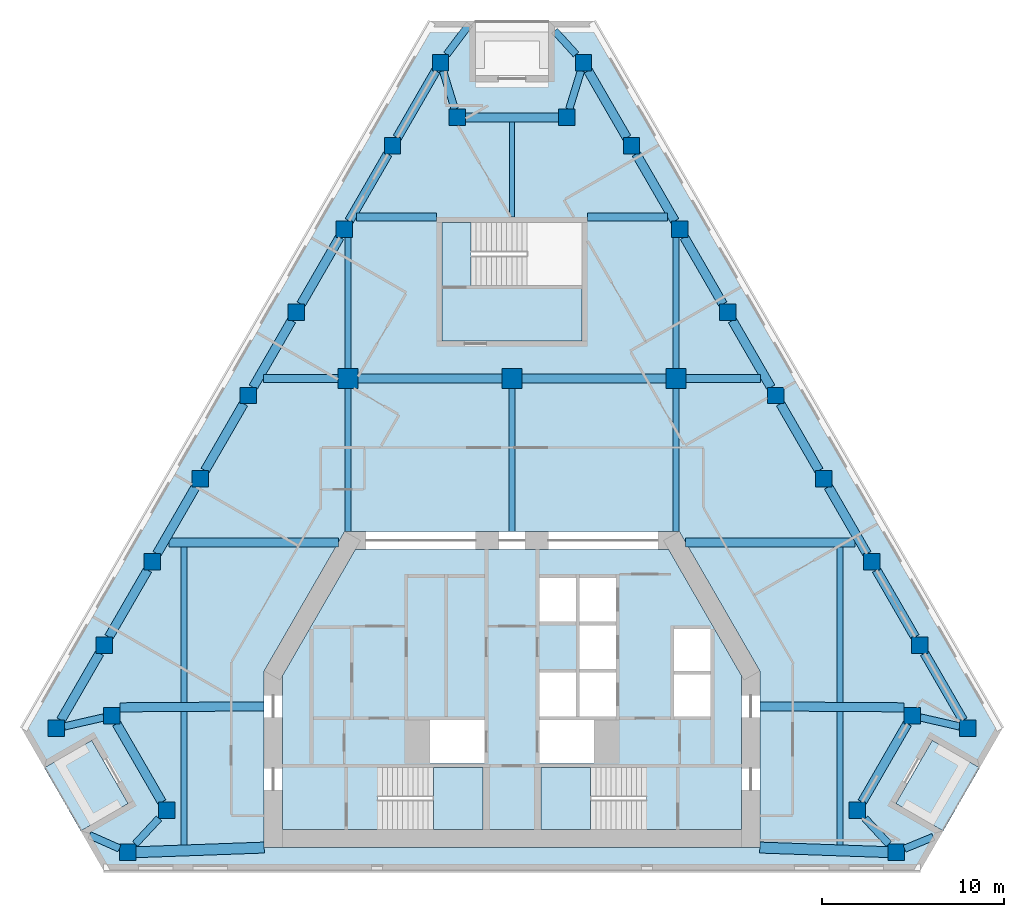
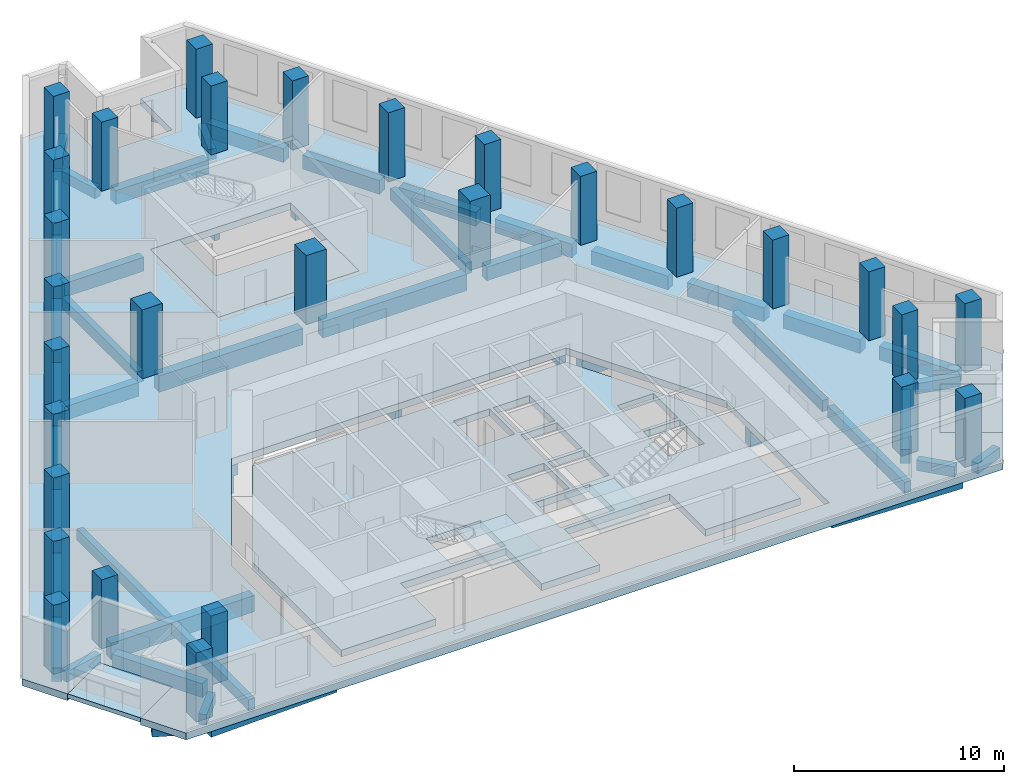
# One storey, part 1 of 8: 51 beams, 29 columns, 7 slabs, 2 elements without a shape of their own.
"""IFC4 building model written with IfcOpenShell, lengths in metres."""

import ifcopenshell
import ifcopenshell.guid

model = None  # the IFC model being written
_history = None  # IfcOwnerHistory: only IFC2X3 demands one
_inside = {}  # id of a spatial element -> (the spatial element, [elements in it])
_under = {}  # id of a project, library or spatial element -> (it, [spatial elements below it])
_declared = {}  # id of a project -> (the project, [libraries it declares])
_typed = {}  # id of a type object -> (the type object, [elements of that type])
_made_of = {}  # id of a material, layer set ... -> (it, [elements and type objects made of it])


def new_model(schema):
    """Start an empty IFC model of exactly this schema.

    Asked for "IFC4X3", IfcOpenShell would pick the latest addendum, in which some entities
    have other attributes; the version numbers below select the first issue.
    IFC2X3 requires an IfcOwnerHistory on every rooted entity: one is made here for all.
    """
    global model, _history
    if schema == "IFC4X3":
        model = ifcopenshell.file(schema_version=(4, 3, 0, 0))
    else:
        model = ifcopenshell.file(schema=schema)
    _inside.clear()
    _under.clear()
    _declared.clear()
    _typed.clear()
    _made_of.clear()
    _history = None
    if model.schema == "IFC2X3":
        org = make("IfcOrganization", Name="unknown")
        user = make(
            "IfcPersonAndOrganization",
            ThePerson=make("IfcPerson", FamilyName="unknown"),
            TheOrganization=org,
        )
        app = make(
            "IfcApplication",
            ApplicationDeveloper=org,
            Version="unknown",
            ApplicationFullName="unknown",
            ApplicationIdentifier="unknown",
        )
        _history = make(
            "IfcOwnerHistory",
            OwningUser=user,
            OwningApplication=app,
            ChangeAction="ADDED",
            CreationDate=0,
        )
    return model


def make(cls, **values):
    """One entity of the class cls with the attributes given. An attribute that is None is left unset."""
    return model.create_entity(
        cls, **{name: value for name, value in values.items() if value is not None}
    )


def rooted(cls, **values):
    """An entity with a GlobalId (a new one), such as an element, a storey or a relation."""
    return make(cls, GlobalId=ifcopenshell.guid.new(), OwnerHistory=_history, **values)


def si_unit(unit_type, name, prefix=None):
    """IfcSIUnit, for example si_unit("LENGTHUNIT", "METRE", prefix="MILLI")."""
    return make("IfcSIUnit", UnitType=unit_type, Prefix=prefix, Name=name)


def assignment(units):
    """IfcUnitAssignment: the units of a project."""
    return None if units is None else make("IfcUnitAssignment", Units=units)


def point(xyz):
    """IfcCartesianPoint."""
    return None if xyz is None else make("IfcCartesianPoint", Coordinates=xyz)


def direction(xyz):
    """IfcDirection."""
    return None if xyz is None else make("IfcDirection", DirectionRatios=xyz)


def frame(location, z_axis=None, x_axis=None):
    """IfcAxis2Placement3D, a coordinate frame: its origin and axes. An axis left out is left unset."""
    return make(
        "IfcAxis2Placement3D",
        Location=point(location),
        Axis=direction(z_axis),
        RefDirection=direction(x_axis),
    )


def frame_2d(location, x_axis=None):
    """IfcAxis2Placement2D, a coordinate frame in the plane: its origin and x axis."""
    return make(
        "IfcAxis2Placement2D", Location=point(location), RefDirection=direction(x_axis)
    )


def origin():
    """The frame at (0, 0, 0) with its axes left unset."""
    return frame((0.0, 0.0, 0.0))


def origin_2d():
    """The frame at (0, 0) in the plane with its x axis left unset."""
    return frame_2d((0.0, 0.0))


def place(relative_to, where):
    """IfcLocalPlacement: puts the frame where relative to a parent placement (None: the world)."""
    return make(
        "IfcLocalPlacement", PlacementRelTo=relative_to, RelativePlacement=where
    )


def context(
    kind, dimensions, precision=None, world=None, true_north=None, identifier=None
):
    """IfcGeometricRepresentationContext, for example the 3D "Model" context."""
    return make(
        "IfcGeometricRepresentationContext",
        ContextIdentifier=identifier,
        ContextType=kind,
        CoordinateSpaceDimension=dimensions,
        Precision=precision,
        WorldCoordinateSystem=world,
        TrueNorth=true_north,
    )


def subcontext(parent, identifier, kind, view, scale=None):
    """IfcGeometricRepresentationSubContext, for example "Body" below "Model"."""
    return make(
        "IfcGeometricRepresentationSubContext",
        ContextIdentifier=identifier,
        ContextType=kind,
        ParentContext=parent,
        TargetScale=scale,
        TargetView=view,
    )


def project(units=None, contexts=None):
    """IfcProject with its units and contexts."""
    return rooted(
        "IfcProject",
        Name="project",
        RepresentationContexts=contexts,
        UnitsInContext=assignment(units),
    )


def spatial(cls, under=None, at=None, **own):
    """A site, building, storey or space (cls), placed at a placement, below another one or the project."""
    s = rooted(cls, ObjectPlacement=at, **own)
    if under is not None:
        _under.setdefault(under.id(), (under, []))[1].append(s)
    return s


def polyline(points):
    """IfcPolyline through the points."""
    return make("IfcPolyline", Points=[point(p) for p in points])


def profile(cls, at=None, kind="AREA", **sizes):
    """A parametric profile (cls). Its sizes go by their IFC names, for example OverallWidth=200.0."""
    return make(cls, ProfileType=kind, Position=at, **sizes)


def rectangle(**sizes):
    """IfcRectangleProfileDef."""
    return profile("IfcRectangleProfileDef", **sizes)


def outline(outer, holes=None, kind="AREA"):
    """IfcArbitraryClosedProfileDef: a profile drawn as a closed curve; with holes, ...WithVoids."""
    if holes is None:
        return make("IfcArbitraryClosedProfileDef", ProfileType=kind, OuterCurve=outer)
    return make(
        "IfcArbitraryProfileDefWithVoids",
        ProfileType=kind,
        OuterCurve=outer,
        InnerCurves=holes,
    )


def extrude(swept, where, along, depth):
    """IfcExtrudedAreaSolid: the profile swept, set in the frame where, extruded along a direction by depth."""
    return make(
        "IfcExtrudedAreaSolid",
        SweptArea=swept,
        Position=where,
        ExtrudedDirection=direction(along),
        Depth=depth,
    )


def shape(context_of_items, identifier, shape_type, items):
    """IfcShapeRepresentation: the items that make up one representation, for example the "Body"."""
    return make(
        "IfcShapeRepresentation",
        ContextOfItems=context_of_items,
        RepresentationIdentifier=identifier,
        RepresentationType=shape_type,
        Items=items,
    )


def material(Name=None, Category=None):
    """IfcMaterial."""
    return make("IfcMaterial", Name=Name, Category=Category)


def layer(
    of_material, thickness, ventilated=None, Name=None, Category=None, Priority=None
):
    """IfcMaterialLayer: one layer of a wall or slab, of a material (None: an air gap)."""
    return make(
        "IfcMaterialLayer",
        Material=of_material,
        LayerThickness=thickness,
        IsVentilated=ventilated,
        Name=Name,
        Category=Category,
        Priority=Priority,
    )


def layer_set(layers, Name=None):
    """IfcMaterialLayerSet."""
    return make("IfcMaterialLayerSet", MaterialLayers=layers, LayerSetName=Name)


def material_profile(
    of_material, cross_section, Name=None, Category=None, Priority=None
):
    """IfcMaterialProfile: a cross section and its material."""
    return make(
        "IfcMaterialProfile",
        Name=Name,
        Material=of_material,
        Profile=cross_section,
        Priority=Priority,
        Category=Category,
    )


def profile_set(profiles, Name=None, composite=None):
    """IfcMaterialProfileSet."""
    return make(
        "IfcMaterialProfileSet",
        Name=Name,
        MaterialProfiles=profiles,
        CompositeProfile=composite,
    )


def made_of(thing, what):
    """Note that an element or type object is made of a material, layer set ...; save() writes the relation."""
    if what is not None:
        _made_of.setdefault(what.id(), (what, []))[1].append(thing)
    return thing


def type_object(cls, material=None, **own):
    """A type object (cls), such as IfcWallType, which elements share."""
    return made_of(rooted(cls, **own), material)


def element(
    cls,
    number,
    at=None,
    inside=None,
    cuts=None,
    type_object=None,
    material=None,
    context=None,
    identifier="Body",
    shape_type=None,
    held_by="IfcProductDefinitionShape",
    body=None,
    shapes=None,
    **own,
):
    """One element of the class cls, such as IfcWall. Its Tag is "e" and its number.

    at: its placement. inside: the storey or other place that contains it. cuts: it is an
    opening in that element (IfcRelVoidsElement). A single representation is given by context,
    identifier, shape_type and body (its items); several are given by shapes. held_by: the class
    of the entity that holds the representations. save() writes the other relations.
    """
    e = rooted(cls, Tag="e%d" % number, ObjectPlacement=at, **own)
    if body is not None:
        shapes = [shape(context, identifier, shape_type, body)]
    if shapes is not None:
        e.Representation = make(held_by, Representations=shapes)
    if inside is not None:
        _inside.setdefault(inside.id(), (inside, []))[1].append(e)
    if cuts is not None:
        rooted(
            "IfcRelVoidsElement", RelatingBuildingElement=cuts, RelatedOpeningElement=e
        )
    if type_object is not None:
        _typed.setdefault(type_object.id(), (type_object, []))[1].append(e)
    return made_of(e, material)


def aggregate(whole, parts):
    """IfcRelAggregates: a whole, such as a stair, and the parts it consists of."""
    return rooted("IfcRelAggregates", RelatingObject=whole, RelatedObjects=parts)


def save(model, path):
    """Write the relations noted so far, then the file.

    IfcRelAggregates (storeys below a building ...), IfcRelContainedInSpatialStructure (elements
    in a storey), IfcRelDefinesByType, IfcRelAssociatesMaterial and IfcRelDeclares: one each for
    every whole, place, type object, material and project.
    """
    for whole, parts in _under.values():
        aggregate(whole, parts)
    for where, things in _inside.values():
        rooted(
            "IfcRelContainedInSpatialStructure",
            RelatedElements=things,
            RelatingStructure=where,
        )
    for kind, things in _typed.values():
        rooted("IfcRelDefinesByType", RelatedObjects=things, RelatingType=kind)
    for what, things in _made_of.values():
        rooted("IfcRelAssociatesMaterial", RelatedObjects=things, RelatingMaterial=what)
    for by, libraries in _declared.values():
        rooted("IfcRelDeclares", RelatingContext=by, RelatedDefinitions=libraries)
    model.write(path)


model = new_model("IFC4")

# Units and contexts
model_context = context("Model", 3, precision=1e-05, world=origin(), true_north=direction((0.0, 1.0)))
body_context = subcontext(model_context, "Body", "Model", "MODEL_VIEW")
ifc_project = project(units=[si_unit("LENGTHUNIT", "METRE"), si_unit("AREAUNIT", "SQUARE_METRE"), si_unit("VOLUMEUNIT", "CUBIC_METRE"), si_unit("PLANEANGLEUNIT", "RADIAN"), si_unit("MASSUNIT", "GRAM", prefix="KILO")], contexts=[model_context])

# Site, building, storey
site_placement = place(None, origin())
site = spatial("IfcSite", under=ifc_project, at=site_placement, CompositionType="ELEMENT")
building_placement = place(site_placement, origin())
building = spatial("IfcBuilding", under=site, at=building_placement, Name="Fogline Exchange Tower", CompositionType="ELEMENT")
storey_placement = place(building_placement, frame((0.0, 0.0, 231.5)))
storey = spatial("IfcBuildingStorey", under=building, at=storey_placement, Name="L52", CompositionType="ELEMENT", Elevation=231.5)

# Columns
ifc_material_1 = material(Name="Concrete C60", Category="concrete")
ifc_material_profile_1 = material_profile(ifc_material_1, rectangle(XDim=1.10009765625, YDim=1.10009765625, at=origin_2d()), Name="RC 1100x1100")
ifc_profile_set_1 = profile_set([ifc_material_profile_1], Name="Concrete C60")
column_type_1 = type_object("IfcColumnType", Name="C05", PredefinedType="COLUMN", material=ifc_profile_set_1)
for number, where, z_axis, x_axis, name in (
    (1, (-9.0, 27.0, 0.0), (0.0, 0.0, 1.0), (1.0, 0.0, 0.0), "IC--9-27"),
    (2, (0.0, 27.0, 0.0), (0.0, 0.0, 1.0), (1.0, 0.0, 0.0), "IC-0-27"),
    (3, (9.0, 27.0, 0.0), (0.0, 0.0, 1.0), (1.0, 0.0, 0.0), "IC-9-27"),
):
    element("IfcColumn", number, at=place(storey_placement, frame(where, z_axis=z_axis, x_axis=x_axis)), inside=storey, type_object=column_type_1, Name=name, PredefinedType="COLUMN", context=body_context, shape_type="SweptSolid", body=[
        extrude(rectangle(XDim=1.10009765625, YDim=1.10009765625, at=origin_2d()), origin(), (0.0, 0.0, 1.0), 4.0),
    ])
ifc_material_profile_2 = material_profile(ifc_material_1, rectangle(XDim=0.89990234375, YDim=0.89990234375, at=origin_2d()), Name="RC 900x900")
ifc_profile_set_2 = profile_set([ifc_material_profile_2], Name="Concrete C60")
column_type_2 = type_object("IfcColumnType", Name="C06", PredefinedType="COLUMN", material=ifc_profile_set_2)
for number, where, z_axis, x_axis, name in (
    (4, (-25.0146484375, 7.794189453125, 0.0), (0.0, 0.0, 1.0), (1.0, 0.0, 0.0), "SW-a"),
    (5, (-21.955322265625, 8.4951171875, 0.0), (0.0, 0.0, 1.0), (1.0, 0.0, 0.0), "SW-p4"),
    (6, (-18.955322265625, 3.299072265625, 0.0), (0.0, 0.0, 1.0), (1.0, 0.0, 0.0), "SW-p3"),
    (7, (-21.092041015625, 1.0, 0.0), (0.0, 0.0, 1.0), (1.0, 0.0, 0.0), "SW-b"),
    (8, (21.092041015625, 1.0, 0.0), (0.0, 0.0, 1.0), (1.0, 0.0, 0.0), "SE-a"),
    (9, (18.955322265625, 3.299072265625, 0.0), (0.0, 0.0, 1.0), (1.0, 0.0, 0.0), "SE-p4"),
    (10, (21.955322265625, 8.4951171875, 0.0), (0.0, 0.0, 1.0), (1.0, 0.0, 0.0), "SE-p3"),
    (11, (25.0146484375, 7.794189453125, 0.0), (0.0, 0.0, 1.0), (1.0, 0.0, 0.0), "SE-b"),
    (12, (22.378173828125, 12.36083984375, 0.0), (0.0, 0.0, 1.0), (1.0, 0.0, 0.0), "E1"),
    (13, (19.74169921875, 16.92724609375, 0.0), (0.0, 0.0, 1.0), (1.0, 0.0, 0.0), "E2"),
    (14, (17.105224609375, 21.493896484375, 0.0), (0.0, 0.0, 1.0), (1.0, 0.0, 0.0), "E3"),
    (15, (14.46875, 26.060302734375, 0.0), (0.0, 0.0, 1.0), (1.0, 0.0, 0.0), "E4"),
    (16, (11.832275390625, 30.626953125, 0.0), (0.0, 0.0, 1.0), (1.0, 0.0, 0.0), "E5"),
    (17, (9.19580078125, 35.193603515625, 0.0), (0.0, 0.0, 1.0), (1.0, 0.0, 0.0), "E6"),
    (18, (6.55908203125, 39.760009765625, 0.0), (0.0, 0.0, 1.0), (1.0, 0.0, 0.0), "E7"),
    (19, (3.922607421875, 44.32666015625, 0.0), (0.0, 0.0, 1.0), (1.0, 0.0, 0.0), "N-a"),
    (20, (3.0, 41.32666015625, 0.0), (0.0, 0.0, 1.0), (1.0, 0.0, 0.0), "N-p4"),
    (21, (-3.0, 41.32666015625, 0.0), (0.0, 0.0, 1.0), (1.0, 0.0, 0.0), "N-p3"),
    (22, (-3.922607421875, 44.32666015625, 0.0), (0.0, 0.0, 1.0), (1.0, 0.0, 0.0), "N-b"),
    (23, (-6.55908203125, 39.760009765625, 0.0), (0.0, 0.0, 1.0), (1.0, 0.0, 0.0), "W1"),
    (24, (-9.19580078125, 35.193603515625, 0.0), (0.0, 0.0, 1.0), (1.0, 0.0, 0.0), "W2"),
    (25, (-11.832275390625, 30.626953125, 0.0), (0.0, 0.0, 1.0), (1.0, 0.0, 0.0), "W3"),
    (26, (-14.46875, 26.060302734375, 0.0), (0.0, 0.0, 1.0), (1.0, 0.0, 0.0), "W4"),
    (27, (-17.105224609375, 21.493896484375, 0.0), (0.0, 0.0, 1.0), (1.0, 0.0, 0.0), "W5"),
    (28, (-19.74169921875, 16.92724609375, 0.0), (0.0, 0.0, 1.0), (1.0, 0.0, 0.0), "W6"),
    (29, (-22.378173828125, 12.36083984375, 0.0), (0.0, 0.0, 1.0), (1.0, 0.0, 0.0), "W7"),
):
    element("IfcColumn", number, at=place(storey_placement, frame(where, z_axis=z_axis, x_axis=x_axis)), inside=storey, type_object=column_type_2, Name=name, PredefinedType="COLUMN", context=body_context, shape_type="SweptSolid", body=[
        extrude(rectangle(XDim=0.89990234375, YDim=0.89990234375, at=origin_2d()), origin(), (0.0, 0.0, 1.0), 4.0),
    ])

# Beams
ifc_material_2 = material(Name="Concrete C40", Category="concrete")
ifc_material_profile_3 = material_profile(ifc_material_2, rectangle(XDim=0.300048828125, YDim=0.60009765625, at=origin_2d()), Name="RC 300x600")
ifc_profile_set_3 = profile_set([ifc_material_profile_3], Name="Concrete C40")
beam_type_1 = type_object("IfcBeamType", Name="B06", PredefinedType="BEAM", material=ifc_profile_set_3)
beam_1_placement = place(storey_placement, frame((0.0, 35.85693359375, -0.699951171875), z_axis=(0.0, 1.0, 0.0), x_axis=(-1.0, 0.0, 0.0)))
element("IfcBeam", 30, at=beam_1_placement, inside=storey, type_object=beam_type_1, Name="SB006", PredefinedType="BEAM", context=body_context, shape_type="SweptSolid", body=[
    extrude(rectangle(XDim=0.300048828125, YDim=0.60009765625, at=origin_2d()), origin(), (0.0, 0.0, 1.0), 5.2197265625),
])
ifc_material_profile_4 = material_profile(ifc_material_2, rectangle(XDim=0.60009765625, YDim=0.89990234375, at=origin_2d()), Name="RC 600x900")
ifc_profile_set_4 = profile_set([ifc_material_profile_4], Name="Concrete C40")
beam_type_2 = type_object("IfcBeamType", Name="B09", PredefinedType="BEAM", material=ifc_profile_set_4)
beam_2_placement = place(storey_placement, frame((-20.64208984375, 0.99462890625, -0.85009765625), z_axis=(0.999343107492, 0.036240219472, 0.0), x_axis=(-0.036240219472, 0.999343107492, 0.0)))
element("IfcBeam", 31, at=beam_2_placement, inside=storey, type_object=beam_type_2, Name="RB004", PredefinedType="BEAM", context=body_context, shape_type="SweptSolid", body=[
    extrude(rectangle(XDim=0.60009765625, YDim=0.89990234375, at=origin_2d()), origin(), (0.0, 0.0, 1.0), 7.046630859375),
])
beam_3_placement = place(storey_placement, frame((13.60009765625, 1.25, -0.85009765625), z_axis=(0.99937042328, -0.035478966629, 0.0), x_axis=(0.035478966629, 0.99937042328, 0.0)))
element("IfcBeam", 32, at=beam_3_placement, inside=storey, type_object=beam_type_2, Name="RB005", PredefinedType="BEAM", context=body_context, shape_type="SweptSolid", body=[
    extrude(rectangle(XDim=0.60009765625, YDim=0.89990234375, at=origin_2d()), origin(), (0.0, 0.0, 1.0), 7.04638671875),
])
ifc_material_profile_5 = material_profile(ifc_material_2, rectangle(XDim=0.5, YDim=0.800048828125, at=origin_2d()), Name="RC 500x800")
ifc_profile_set_5 = profile_set([ifc_material_profile_5], Name="Concrete C40")
beam_type_3 = type_object("IfcBeamType", Name="B10", PredefinedType="BEAM", material=ifc_profile_set_5)
for number, where, z_axis, x_axis, name in (
    (33, (-21.6953125, 8.045166015625, -0.800048828125), (0.499976646485, -0.866038886523, 0.0), (0.866038886523, 0.499976646485, 0.0), "RB002"),
    (34, (19.215087890625, 3.7490234375, -0.800048828125), (0.499976646485, 0.866038886523, 0.0), (-0.866038886523, 0.499976646485, 0.0), "RB007"),
):
    element("IfcBeam", number, at=place(storey_placement, frame(where, z_axis=z_axis, x_axis=x_axis)), inside=storey, type_object=beam_type_3, Name=name, PredefinedType="BEAM", context=body_context, shape_type="SweptSolid", body=[
        extrude(rectangle(XDim=0.5, YDim=0.800048828125, at=origin_2d()), origin(), (0.0, 0.0, 1.0), 4.960693359375),
    ])
beam_4_placement = place(storey_placement, frame((24.7548828125, 8.244140625, -0.800048828125), z_axis=(-0.499990325971, 0.866030989016, 0.0), x_axis=(-0.866030989016, -0.499990325971, 0.0)))
element("IfcBeam", 35, at=beam_4_placement, inside=storey, type_object=beam_type_3, Name="RB009", PredefinedType="BEAM", context=body_context, shape_type="SweptSolid", body=[
    extrude(rectangle(XDim=0.5, YDim=0.800048828125, at=origin_2d()), origin(), (0.0, 0.0, 1.0), 4.23388671875),
])
beam_5_placement = place(storey_placement, frame((22.118408203125, 12.810791015625, -0.800048828125), z_axis=(-0.500015295222, 0.866016572904, 0.0), x_axis=(-0.866016572904, -0.500015295222, 0.0)))
element("IfcBeam", 36, at=beam_5_placement, inside=storey, type_object=beam_type_3, Name="RB010", PredefinedType="BEAM", context=body_context, shape_type="SweptSolid", body=[
    extrude(rectangle(XDim=0.5, YDim=0.800048828125, at=origin_2d()), origin(), (0.0, 0.0, 1.0), 4.233642578125),
])
beam_6_placement = place(storey_placement, frame((19.481689453125, 17.377197265625, -0.800048828125), z_axis=(-0.499947076772, 0.866055956868, 0.0), x_axis=(-0.866055956868, -0.499947076772, 0.0)))
element("IfcBeam", 37, at=beam_6_placement, inside=storey, type_object=beam_type_3, Name="RB011", PredefinedType="BEAM", context=body_context, shape_type="SweptSolid", body=[
    extrude(rectangle(XDim=0.5, YDim=0.800048828125, at=origin_2d()), origin(), (0.0, 0.0, 1.0), 4.23388671875),
])
for number, where, z_axis, x_axis, name in (
    (38, (16.84521484375, 21.94384765625, -0.800048828125), (-0.499972045304, 0.866041542834, 0.0), (-0.866041542834, -0.499972045304, 0.0), "RB012"),
    (39, (14.208740234375, 26.510498046875, -0.800048828125), (-0.499972045304, 0.866041542834, 0.0), (-0.866041542834, -0.499972045304, 0.0), "RB013"),
    (40, (11.572265625, 31.076904296875, -0.800048828125), (-0.499972045304, 0.866041542834, 0.0), (-0.866041542834, -0.499972045304, 0.0), "RB014"),
    (41, (8.935791015625, 35.6435546875, -0.800048828125), (-0.499972045304, 0.866041542834, 0.0), (-0.866041542834, -0.499972045304, 0.0), "RB015"),
    (42, (6.29931640625, 40.210205078125, -0.800048828125), (-0.499972045304, 0.866041542834, 0.0), (-0.866041542834, -0.499972045304, 0.0), "RB016"),
):
    element("IfcBeam", number, at=place(storey_placement, frame(where, z_axis=z_axis, x_axis=x_axis)), inside=storey, type_object=beam_type_3, Name=name, PredefinedType="BEAM", context=body_context, shape_type="SweptSolid", body=[
        extrude(rectangle(XDim=0.5, YDim=0.800048828125, at=origin_2d()), origin(), (0.0, 0.0, 1.0), 4.233642578125),
    ])
beam_7_placement = place(storey_placement, frame((2.550048828125, 41.32666015625, -0.800048828125), z_axis=(-1.0, 0.0, 0.0), x_axis=(0.0, -1.0, 0.0)))
element("IfcBeam", 43, at=beam_7_placement, inside=storey, type_object=beam_type_3, Name="RB018", PredefinedType="BEAM", context=body_context, shape_type="SweptSolid", body=[
    extrude(rectangle(XDim=0.5, YDim=0.800048828125, at=origin_2d()), origin(), (0.0, 0.0, 1.0), 5.10009765625),
])
for number, where, z_axis, x_axis, name in (
    (44, (-4.1826171875, 43.876708984375, -0.800048828125), (-0.499972045304, -0.866041542834, 0.0), (0.866041542834, -0.499972045304, 0.0), "RB020"),
    (45, (-6.819091796875, 39.31005859375, -0.800048828125), (-0.499972045304, -0.866041542834, 0.0), (0.866041542834, -0.499972045304, 0.0), "RB021"),
    (46, (-9.45556640625, 34.743408203125, -0.800048828125), (-0.499972045304, -0.866041542834, 0.0), (0.866041542834, -0.499972045304, 0.0), "RB022"),
    (47, (-12.092041015625, 30.177001953125, -0.800048828125), (-0.499972045304, -0.866041542834, 0.0), (0.866041542834, -0.499972045304, 0.0), "RB023"),
    (48, (-14.728515625, 25.6103515625, -0.800048828125), (-0.499972045304, -0.866041542834, 0.0), (0.866041542834, -0.499972045304, 0.0), "RB024"),
):
    element("IfcBeam", number, at=place(storey_placement, frame(where, z_axis=z_axis, x_axis=x_axis)), inside=storey, type_object=beam_type_3, Name=name, PredefinedType="BEAM", context=body_context, shape_type="SweptSolid", body=[
        extrude(rectangle(XDim=0.5, YDim=0.800048828125, at=origin_2d()), origin(), (0.0, 0.0, 1.0), 4.233642578125),
    ])
beam_8_placement = place(storey_placement, frame((-17.364990234375, 21.0439453125, -0.800048828125), z_axis=(-0.499947076772, -0.866055956868, 0.0), x_axis=(0.866055956868, -0.499947076772, 0.0)))
element("IfcBeam", 49, at=beam_8_placement, inside=storey, type_object=beam_type_3, Name="RB025", PredefinedType="BEAM", context=body_context, shape_type="SweptSolid", body=[
    extrude(rectangle(XDim=0.5, YDim=0.800048828125, at=origin_2d()), origin(), (0.0, 0.0, 1.0), 4.23388671875),
])
beam_9_placement = place(storey_placement, frame((-20.00146484375, 16.477294921875, -0.800048828125), z_axis=(-0.500015295222, -0.866016572904, 0.0), x_axis=(0.866016572904, -0.500015295222, 0.0)))
element("IfcBeam", 50, at=beam_9_placement, inside=storey, type_object=beam_type_3, Name="RB026", PredefinedType="BEAM", context=body_context, shape_type="SweptSolid", body=[
    extrude(rectangle(XDim=0.5, YDim=0.800048828125, at=origin_2d()), origin(), (0.0, 0.0, 1.0), 4.233642578125),
])
beam_10_placement = place(storey_placement, frame((-22.637939453125, 11.910888671875, -0.800048828125), z_axis=(-0.499990325971, -0.866030989016, 0.0), x_axis=(0.866030989016, -0.499990325971, 0.0)))
element("IfcBeam", 51, at=beam_10_placement, inside=storey, type_object=beam_type_3, Name="RB027", PredefinedType="BEAM", context=body_context, shape_type="SweptSolid", body=[
    extrude(rectangle(XDim=0.5, YDim=0.800048828125, at=origin_2d()), origin(), (0.0, 0.0, 1.0), 4.23388671875),
])
ifc_material_profile_6 = material_profile(ifc_material_2, rectangle(XDim=0.39990234375, YDim=0.60009765625, at=origin_2d()), Name="RC 400x600")
ifc_profile_set_6 = profile_set([ifc_material_profile_6], Name="Concrete C40")
beam_type_4 = type_object("IfcBeamType", Name="B11", PredefinedType="BEAM", material=ifc_profile_set_6)
beam_11_placement = place(storey_placement, frame((-24.564697265625, 7.897216796875, -0.699951171875), z_axis=(0.974731818643, 0.223378337636, 0.0), x_axis=(-0.223378337636, 0.974731818643, 0.0)))
element("IfcBeam", 52, at=beam_11_placement, inside=storey, type_object=beam_type_4, Name="RB001", PredefinedType="BEAM", context=body_context, shape_type="SweptSolid", body=[
    extrude(rectangle(XDim=0.39990234375, YDim=0.60009765625, at=origin_2d()), origin(), (0.0, 0.0, 1.0), 2.21533203125),
])
for number, where, z_axis, x_axis, name in (
    (53, (-19.37353515625, 2.84912109375, -0.699951171875), (-0.68075009804, -0.732515736362, 0.0), (0.732515736362, -0.68075009804, 0.0), "RB003"),
    (54, (20.673828125, 1.449951171875, -0.699951171875), (-0.68075009804, 0.732515736362, 0.0), (-0.732515736362, -0.68075009804, 0.0), "RB006"),
):
    element("IfcBeam", number, at=place(storey_placement, frame(where, z_axis=z_axis, x_axis=x_axis)), inside=storey, type_object=beam_type_4, Name=name, PredefinedType="BEAM", context=body_context, shape_type="SweptSolid", body=[
        extrude(rectangle(XDim=0.39990234375, YDim=0.60009765625, at=origin_2d()), origin(), (0.0, 0.0, 1.0), 1.91015625),
    ])
beam_12_placement = place(storey_placement, frame((22.4052734375, 8.39208984375, -0.699951171875), z_axis=(0.974731818643, -0.223378337636, 0.0), x_axis=(0.223378337636, 0.974731818643, 0.0)))
element("IfcBeam", 55, at=beam_12_placement, inside=storey, type_object=beam_type_4, Name="RB008", PredefinedType="BEAM", context=body_context, shape_type="SweptSolid", body=[
    extrude(rectangle(XDim=0.39990234375, YDim=0.60009765625, at=origin_2d()), origin(), (0.0, 0.0, 1.0), 2.21533203125),
])
for number, where, z_axis, x_axis, name in (
    (56, (3.7841796875, 43.876708984375, -0.699951171875), (-0.293906253456, -0.95583425037, 0.0), (0.95583425037, -0.293906253456, 0.0), "RB017"),
    (57, (-3.138427734375, 41.776611328125, -0.699951171875), (-0.293906253456, 0.95583425037, 0.0), (-0.95583425037, -0.293906253456, 0.0), "RB019"),
):
    element("IfcBeam", number, at=place(storey_placement, frame(where, z_axis=z_axis, x_axis=x_axis)), inside=storey, type_object=beam_type_4, Name=name, PredefinedType="BEAM", context=body_context, shape_type="SweptSolid", body=[
        extrude(rectangle(XDim=0.39990234375, YDim=0.60009765625, at=origin_2d()), origin(), (0.0, 0.0, 1.0), 2.197021484375),
    ])
beam_13_placement = place(storey_placement, frame((-3.584228515625, 44.776611328125, -0.699951171875), z_axis=(0.600886339701, 0.7993344774, 0.0), x_axis=(-0.7993344774, 0.600886339701, 0.0)))
element("IfcBeam", 58, at=beam_13_placement, inside=storey, type_object=beam_type_4, Name="SP028", PredefinedType="BEAM", context=body_context, shape_type="SweptSolid", body=[
    extrude(rectangle(XDim=0.39990234375, YDim=0.60009765625, at=origin_2d()), origin(), (0.0, 0.0, 1.0), 2.070556640625),
])
beam_14_placement = place(storey_placement, frame((3.513916015625, 44.776611328125, -0.699951171875), z_axis=(-0.672492366822, 0.740104057931, 0.0), x_axis=(-0.740104057931, -0.672492366822, 0.0)))
element("IfcBeam", 59, at=beam_14_placement, inside=storey, type_object=beam_type_4, Name="SP029", PredefinedType="BEAM", context=body_context, shape_type="SweptSolid", body=[
    extrude(rectangle(XDim=0.39990234375, YDim=0.60009765625, at=origin_2d()), origin(), (0.0, 0.0, 1.0), 1.751220703125),
])
beam_15_placement = place(storey_placement, frame((-21.5419921875, 1.199951171875, -0.699951171875), z_axis=(-0.913783638153, 0.406201258791, 0.0), x_axis=(-0.406201258791, -0.913783638153, 0.0)))
element("IfcBeam", 60, at=beam_15_placement, inside=storey, type_object=beam_type_4, Name="SP030", PredefinedType="BEAM", context=body_context, shape_type="SweptSolid", body=[
    extrude(rectangle(XDim=0.39990234375, YDim=0.60009765625, at=origin_2d()), origin(), (0.0, 0.0, 1.0), 1.8037109375),
])
beam_16_placement = place(storey_placement, frame((21.5419921875, 1.185302734375, -0.699951171875), z_axis=(0.924684018073, 0.380735428771, 0.0), x_axis=(-0.380735428771, 0.924684018073, 0.0)))
element("IfcBeam", 61, at=beam_16_placement, inside=storey, type_object=beam_type_4, Name="SP031", PredefinedType="BEAM", context=body_context, shape_type="SweptSolid", body=[
    extrude(rectangle(XDim=0.39990234375, YDim=0.60009765625, at=origin_2d()), origin(), (0.0, 0.0, 1.0), 1.708251953125),
])
ifc_material_profile_7 = material_profile(ifc_material_2, rectangle(XDim=0.5, YDim=0.949951171875, at=origin_2d()), Name="RC 500x950")
ifc_profile_set_7 = profile_set([ifc_material_profile_7], Name="Concrete C40")
beam_type_5 = type_object("IfcBeamType", Name="B14", PredefinedType="BEAM", material=ifc_profile_set_7)
for number, where, z_axis, x_axis, name in (
    (62, (-21.50537109375, 8.9453125, -0.875), (0.999976072531, 0.006917684998, 0.0), (-0.006917684998, 0.999976072531, 0.0), "GB001"),
    (63, (13.60009765625, 9.0, -0.875), (0.999976072531, -0.006917684998, 0.0), (0.006917684998, 0.999976072531, 0.0), "GB002"),
):
    element("IfcBeam", number, at=place(storey_placement, frame(where, z_axis=z_axis, x_axis=x_axis)), inside=storey, type_object=beam_type_5, Name=name, PredefinedType="BEAM", context=body_context, shape_type="SweptSolid", body=[
        extrude(rectangle(XDim=0.5, YDim=0.949951171875, at=origin_2d()), origin(), (0.0, 0.0, 1.0), 7.905517578125),
    ])
for number, where, z_axis, x_axis, name in (
    (64, (-18.833740234375, 18.0, -0.875), (1.0, 0.0, 0.0), (0.0, 1.0, 0.0), "GB003"),
    (65, (9.527099609375, 18.0, -0.875), (1.0, 0.0, 0.0), (0.0, 1.0, 0.0), "GB004"),
):
    element("IfcBeam", number, at=place(storey_placement, frame(where, z_axis=z_axis, x_axis=x_axis)), inside=storey, type_object=beam_type_5, Name=name, PredefinedType="BEAM", context=body_context, shape_type="SweptSolid", body=[
        extrude(rectangle(XDim=0.5, YDim=0.949951171875, at=origin_2d()), origin(), (0.0, 0.0, 1.0), 9.306640625),
    ])
for number, where, z_axis, x_axis, name in (
    (66, (-8.449951171875, 27.0, -0.875), (1.0, 0.0, 0.0), (0.0, 1.0, 0.0), "GB006"),
    (67, (0.550048828125, 27.0, -0.875), (1.0, 0.0, 0.0), (0.0, 1.0, 0.0), "GB007"),
):
    element("IfcBeam", number, at=place(storey_placement, frame(where, z_axis=z_axis, x_axis=x_axis)), inside=storey, type_object=beam_type_5, Name=name, PredefinedType="BEAM", context=body_context, shape_type="SweptSolid", body=[
        extrude(rectangle(XDim=0.5, YDim=0.949951171875, at=origin_2d()), origin(), (0.0, 0.0, 1.0), 7.89990234375),
    ])
ifc_material_profile_8 = material_profile(ifc_material_2, rectangle(XDim=0.35009765625, YDim=0.64990234375, at=origin_2d()), Name="RC 350x650")
ifc_profile_set_8 = profile_set([ifc_material_profile_8], Name="Concrete C40")
beam_type_6 = type_object("IfcBeamType", Name="B16", PredefinedType="BEAM", material=ifc_profile_set_8)
beam_17_placement = place(storey_placement, frame((-18.0, 1.390625, -0.72509765625), z_axis=(0.0, 1.0, 0.0), x_axis=(-1.0, 0.0, 0.0)))
element("IfcBeam", 68, at=beam_17_placement, inside=storey, type_object=beam_type_6, Name="SB001", PredefinedType="BEAM", context=body_context, shape_type="SweptSolid", body=[
    extrude(rectangle(XDim=0.35009765625, YDim=0.64990234375, at=origin_2d()), origin(), (0.0, 0.0, 1.0), 7.328857421875),
])
beam_18_placement = place(storey_placement, frame((-18.0, 9.219482421875, -0.72509765625), z_axis=(0.0, 1.0, 0.0), x_axis=(-1.0, 0.0, 0.0)))
element("IfcBeam", 69, at=beam_18_placement, inside=storey, type_object=beam_type_6, Name="SB002", PredefinedType="BEAM", context=body_context, shape_type="SweptSolid", body=[
    extrude(rectangle(XDim=0.35009765625, YDim=0.64990234375, at=origin_2d()), origin(), (0.0, 0.0, 1.0), 8.530517578125),
])
beam_19_placement = place(storey_placement, frame((-9.0, 18.60009765625, -0.72509765625), z_axis=(0.0, 1.0, 0.0), x_axis=(-1.0, 0.0, 0.0)))
element("IfcBeam", 70, at=beam_19_placement, inside=storey, type_object=beam_type_6, Name="SB003", PredefinedType="BEAM", context=body_context, shape_type="SweptSolid", body=[
    extrude(rectangle(XDim=0.35009765625, YDim=0.64990234375, at=origin_2d()), origin(), (0.0, 0.0, 1.0), 7.849853515625),
])
beam_20_placement = place(storey_placement, frame((-9.0, 27.550048828125, -0.72509765625), z_axis=(0.0, 1.0, 0.0), x_axis=(-1.0, 0.0, 0.0)))
element("IfcBeam", 71, at=beam_20_placement, inside=storey, type_object=beam_type_6, Name="SB004", PredefinedType="BEAM", context=body_context, shape_type="SweptSolid", body=[
    extrude(rectangle(XDim=0.35009765625, YDim=0.64990234375, at=origin_2d()), origin(), (0.0, 0.0, 1.0), 7.193359375),
])
for number, where, z_axis, x_axis, name in (
    (72, (0.0, 18.60009765625, -0.72509765625), (0.0, 1.0, 0.0), (-1.0, 0.0, 0.0), "SB005"),
    (73, (9.0, 18.60009765625, -0.72509765625), (0.0, 1.0, 0.0), (-1.0, 0.0, 0.0), "SB007"),
):
    element("IfcBeam", number, at=place(storey_placement, frame(where, z_axis=z_axis, x_axis=x_axis)), inside=storey, type_object=beam_type_6, Name=name, PredefinedType="BEAM", context=body_context, shape_type="SweptSolid", body=[
        extrude(rectangle(XDim=0.35009765625, YDim=0.64990234375, at=origin_2d()), origin(), (0.0, 0.0, 1.0), 7.849853515625),
    ])
beam_21_placement = place(storey_placement, frame((9.0, 27.550048828125, -0.72509765625), z_axis=(0.0, 1.0, 0.0), x_axis=(-1.0, 0.0, 0.0)))
element("IfcBeam", 74, at=beam_21_placement, inside=storey, type_object=beam_type_6, Name="SB008", PredefinedType="BEAM", context=body_context, shape_type="SweptSolid", body=[
    extrude(rectangle(XDim=0.35009765625, YDim=0.64990234375, at=origin_2d()), origin(), (0.0, 0.0, 1.0), 7.193359375),
])
beam_22_placement = place(storey_placement, frame((18.0, 1.39404296875, -0.72509765625), z_axis=(0.0, 1.0, 0.0), x_axis=(-1.0, 0.0, 0.0)))
element("IfcBeam", 75, at=beam_22_placement, inside=storey, type_object=beam_type_6, Name="SB009", PredefinedType="BEAM", context=body_context, shape_type="SweptSolid", body=[
    extrude(rectangle(XDim=0.35009765625, YDim=0.64990234375, at=origin_2d()), origin(), (0.0, 0.0, 1.0), 7.325439453125),
])
beam_23_placement = place(storey_placement, frame((18.0, 9.219482421875, -0.72509765625), z_axis=(0.0, 1.0, 0.0), x_axis=(-1.0, 0.0, 0.0)))
element("IfcBeam", 76, at=beam_23_placement, inside=storey, type_object=beam_type_6, Name="SB010", PredefinedType="BEAM", context=body_context, shape_type="SweptSolid", body=[
    extrude(rectangle(XDim=0.35009765625, YDim=0.64990234375, at=origin_2d()), origin(), (0.0, 0.0, 1.0), 8.530517578125),
])
ifc_material_profile_9 = material_profile(ifc_material_2, rectangle(XDim=0.449951171875, YDim=0.800048828125, at=origin_2d()), Name="RC 450x800")
ifc_profile_set_9 = profile_set([ifc_material_profile_9], Name="Concrete C40")
beam_type_7 = type_object("IfcBeamType", Name="B18", PredefinedType="BEAM", material=ifc_profile_set_9)
for number, where, z_axis, x_axis, name in (
    (77, (-13.637451171875, 27.0, -0.800048828125), (1.0, 0.0, 0.0), (0.0, 1.0, 0.0), "GB005"),
    (78, (9.550048828125, 27.0, -0.800048828125), (1.0, 0.0, 0.0), (0.0, 1.0, 0.0), "GB008"),
):
    element("IfcBeam", number, at=place(storey_placement, frame(where, z_axis=z_axis, x_axis=x_axis)), inside=storey, type_object=beam_type_7, Name=name, PredefinedType="BEAM", context=body_context, shape_type="SweptSolid", body=[
        extrude(rectangle(XDim=0.449951171875, YDim=0.800048828125, at=origin_2d()), origin(), (0.0, 0.0, 1.0), 4.08740234375),
    ])
for number, where, z_axis, x_axis, name in (
    (79, (-8.52392578125, 35.85693359375, -0.800048828125), (1.0, 0.0, 0.0), (0.0, 1.0, 0.0), "GB009"),
    (80, (4.14990234375, 35.85693359375, -0.800048828125), (1.0, 0.0, 0.0), (0.0, 1.0, 0.0), "GB010"),
):
    element("IfcBeam", number, at=place(storey_placement, frame(where, z_axis=z_axis, x_axis=x_axis)), inside=storey, type_object=beam_type_7, Name=name, PredefinedType="BEAM", context=body_context, shape_type="SweptSolid", body=[
        extrude(rectangle(XDim=0.449951171875, YDim=0.800048828125, at=origin_2d()), origin(), (0.0, 0.0, 1.0), 4.3740234375),
    ])

# Slabs
ifc_layer_1 = layer(ifc_material_2, 0.25)
ifc_layer_set_1 = layer_set([ifc_layer_1], Name="DK1")
slab_type_1 = type_object("IfcSlabType", Name="DK1", PredefinedType="FLOOR", material=ifc_layer_set_1)
slab_1_placement = place(storey_placement, frame((0.0, 0.0, -0.25)))
element("IfcSlab", 81, at=slab_1_placement, inside=storey, type_object=slab_type_1, Name="Balcony L52 SW", PredefinedType="FLOOR", context=body_context, shape_type="SweptSolid", body=[
    extrude(outline(polyline([(-25.6640625, 5.629150390625), (-23.6640625, 2.1650390625), (-21.066162109375, 3.6650390625), (-23.066162109375, 7.129150390625), (-25.6640625, 5.629150390625)])), origin(), (0.0, 0.0, 1.0), 0.25),
])
slab_2_placement = place(storey_placement, frame((0.0, 0.0, -0.25)))
element("IfcSlab", 82, at=slab_2_placement, inside=storey, type_object=slab_type_1, Name="Balcony L52 SE", PredefinedType="FLOOR", context=body_context, shape_type="SweptSolid", body=[
    extrude(outline(polyline([(23.6640625, 2.1650390625), (25.6640625, 5.629150390625), (23.066162109375, 7.129150390625), (21.066162109375, 3.6650390625), (23.6640625, 2.1650390625)])), origin(), (0.0, 0.0, 1.0), 0.25),
])
ifc_layer_2 = layer(ifc_material_2, 0.39990234375)
ifc_layer_set_2 = layer_set([ifc_layer_2], Name="S03")
slab_type_2 = type_object("IfcSlabType", Name="S03", PredefinedType="FLOOR", material=ifc_layer_set_2)
slab_3_placement = place(storey_placement, frame((0.0, 0.0, -0.39990234375)))
element("IfcSlab", 83, at=slab_3_placement, inside=storey, type_object=slab_type_2, Name="SLAB L52", PredefinedType="FLOOR", context=body_context, shape_type="SweptSolid", body=[
    extrude(outline(polyline([(-2.0, 46.61669921875), (-4.5, 46.61669921875), (-26.9140625, 7.794189453125), (-25.6640625, 5.629150390625), (-23.066162109375, 7.129150390625), (-21.066162109375, 3.6650390625), (-23.6640625, 2.1650390625), (-22.4140625, 0.0), (22.4140625, 0.0), (23.6640625, 2.1650390625), (21.066162109375, 3.6650390625), (23.066162109375, 7.129150390625), (25.6640625, 5.629150390625), (26.9140625, 7.794189453125), (4.5, 46.61669921875), (2.0, 46.61669921875), (2.0, 43.61669921875), (-2.0, 43.61669921875), (-2.0, 46.61669921875)]), holes=[polyline([(13.60009765625, 10.9453125), (13.60009765625, 1.25), (-13.60009765625, 1.25), (-13.60009765625, 10.9453125), (-9.1806640625, 18.60009765625), (9.1806640625, 18.60009765625), (13.60009765625, 10.9453125)]), polyline([(3.85009765625, 35.556884765625), (3.85009765625, 29.056884765625), (-3.85009765625, 29.056884765625), (-3.85009765625, 35.556884765625), (3.85009765625, 35.556884765625)])]), origin(), (0.0, 0.0, 1.0), 0.39990234375),
])
slab_4_placement = place(storey_placement, frame((0.0, 0.0, -0.39990234375)))
element("IfcSlab", 84, at=slab_4_placement, inside=storey, type_object=slab_type_2, Name="Core floor slab", PredefinedType="FLOOR", context=body_context, shape_type="SweptSolid", body=[
    extrude(outline(polyline([(-12.60009765625, 2.25), (-12.60009765625, 10.677490234375), (-8.603271484375, 17.60009765625), (8.603271484375, 17.60009765625), (12.60009765625, 10.677490234375), (12.60009765625, 2.25), (7.389892578125, 2.25), (7.389892578125, 5.64990234375), (1.60009765625, 5.64990234375), (1.60009765625, 2.25), (-1.60009765625, 2.25), (-1.60009765625, 5.64990234375), (-7.389892578125, 5.64990234375), (-7.389892578125, 2.25), (-12.60009765625, 2.25)]), holes=[polyline([(-4.5, 8.25), (-4.5, 5.85009765625), (-1.5, 5.85009765625), (-1.5, 8.25), (-4.5, 8.25)]), polyline([(4.5, 8.25), (1.5, 8.25), (1.5, 5.85009765625), (4.5, 5.85009765625), (4.5, 8.25)]), polyline([(3.5, 10.85009765625), (1.5, 10.85009765625), (1.5, 8.449951171875), (3.5, 8.449951171875), (3.5, 10.85009765625)]), polyline([(1.5, 16.050048828125), (1.5, 13.64990234375), (3.5, 13.64990234375), (3.5, 16.050048828125), (1.5, 16.050048828125)]), polyline([(10.89990234375, 10.75), (8.89990234375, 10.75), (8.89990234375, 8.449951171875), (10.89990234375, 8.449951171875), (10.89990234375, 10.75)]), polyline([(5.699951171875, 10.85009765625), (3.699951171875, 10.85009765625), (3.699951171875, 8.449951171875), (5.699951171875, 8.449951171875), (5.699951171875, 10.85009765625)]), polyline([(8.89990234375, 13.25), (8.89990234375, 10.949951171875), (10.89990234375, 10.949951171875), (10.89990234375, 13.25), (8.89990234375, 13.25)]), polyline([(5.699951171875, 13.449951171875), (3.699951171875, 13.449951171875), (3.699951171875, 11.050048828125), (5.699951171875, 11.050048828125), (5.699951171875, 13.449951171875)]), polyline([(5.699951171875, 16.050048828125), (3.699951171875, 16.050048828125), (3.699951171875, 13.64990234375), (5.699951171875, 13.64990234375), (5.699951171875, 16.050048828125)])]), origin(), (0.0, 0.0, 1.0), 0.39990234375),
])
slab_5_placement = place(storey_placement, frame((0.0, 0.0, -0.39990234375)))
element("IfcSlab", 85, at=slab_5_placement, inside=storey, type_object=slab_type_2, Name="Stair enclosure floor slab", PredefinedType="FLOOR", context=body_context, shape_type="SweptSolid", body=[
    extrude(outline(polyline([(3.85009765625, 29.056884765625), (-3.85009765625, 29.056884765625), (-3.85009765625, 35.556884765625), (-2.239990234375, 35.556884765625), (-2.239990234375, 32.10693359375), (3.85009765625, 32.10693359375), (3.85009765625, 29.056884765625)])), origin(), (0.0, 0.0, 1.0), 0.39990234375),
])

# Stair, slab
stair_type = type_object("IfcStairType", Name="STR24-1667", PredefinedType="HALF_TURN_STAIR", material=ifc_material_2)
stair_1_placement = place(storey_placement, origin())
stair_1 = element("IfcStair", 86, at=stair_1_placement, inside=storey, type_object=stair_type, Name="Stair ST1", PredefinedType="HALF_TURN_STAIR")
ifc_layer_3 = layer(ifc_material_2, 0.199951171875)
ifc_layer_set_3 = layer_set([ifc_layer_3], Name="SL200")
slab_type_3 = type_object("IfcSlabType", Name="SL200", PredefinedType="LANDING", material=ifc_layer_set_3)
slab_6_placement = place(storey_placement, frame((0.0, 0.0, 1.800048828125)))
slab_6 = element("IfcSlab", 87, at=slab_6_placement, type_object=slab_type_3, Name="ST1 landing 1", PredefinedType="LANDING", context=body_context, shape_type="SweptSolid", body=[
    extrude(outline(polyline([(-4.320068359375, 2.25), (-1.60009765625, 2.25), (-1.60009765625, 5.64990234375), (-4.320068359375, 5.64990234375), (-4.320068359375, 2.25)])), origin(), (0.0, 0.0, 1.0), 0.199951171875),
])
aggregate(stair_1, [slab_6])

stair_2_placement = place(storey_placement, origin())
stair_2 = element("IfcStair", 88, at=stair_2_placement, inside=storey, type_object=stair_type, Name="Stair ST2", PredefinedType="HALF_TURN_STAIR")
slab_7_placement = place(storey_placement, frame((0.0, 0.0, 1.800048828125)))
slab_7 = element("IfcSlab", 89, at=slab_7_placement, type_object=slab_type_3, Name="ST2 landing 1", PredefinedType="LANDING", context=body_context, shape_type="SweptSolid", body=[
    extrude(outline(polyline([(1.60009765625, 2.25), (4.320068359375, 2.25), (4.320068359375, 5.64990234375), (1.60009765625, 5.64990234375), (1.60009765625, 2.25)])), origin(), (0.0, 0.0, 1.0), 0.199951171875),
])
aggregate(stair_2, [slab_7])

save(model, "model.ifc")
